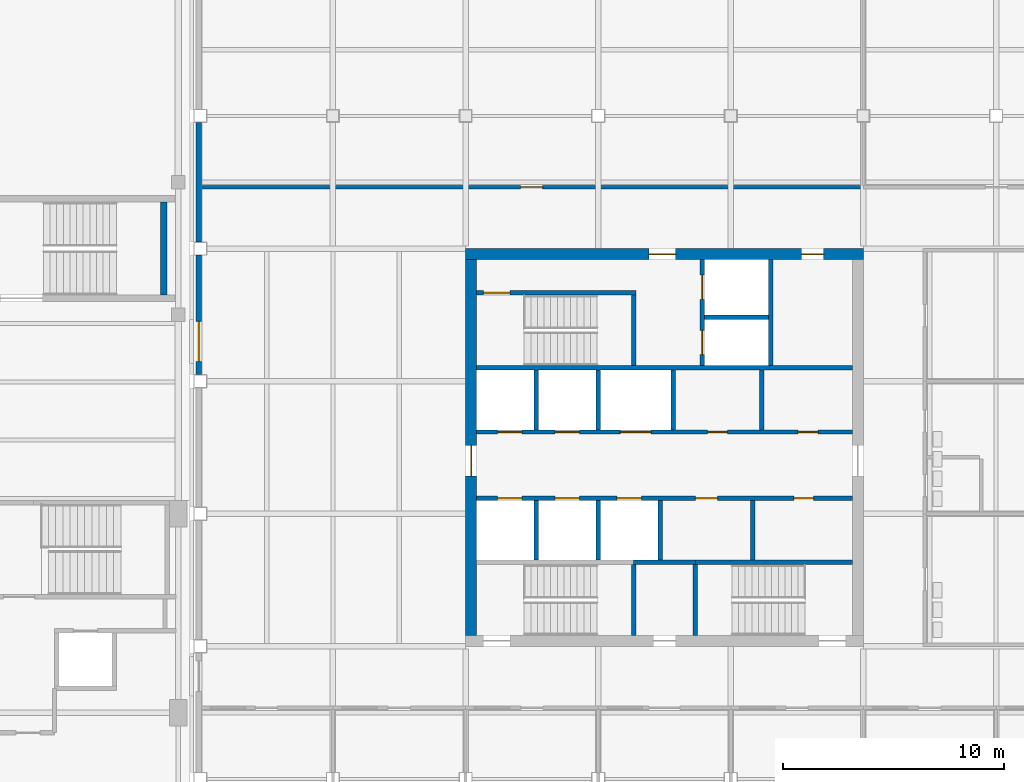
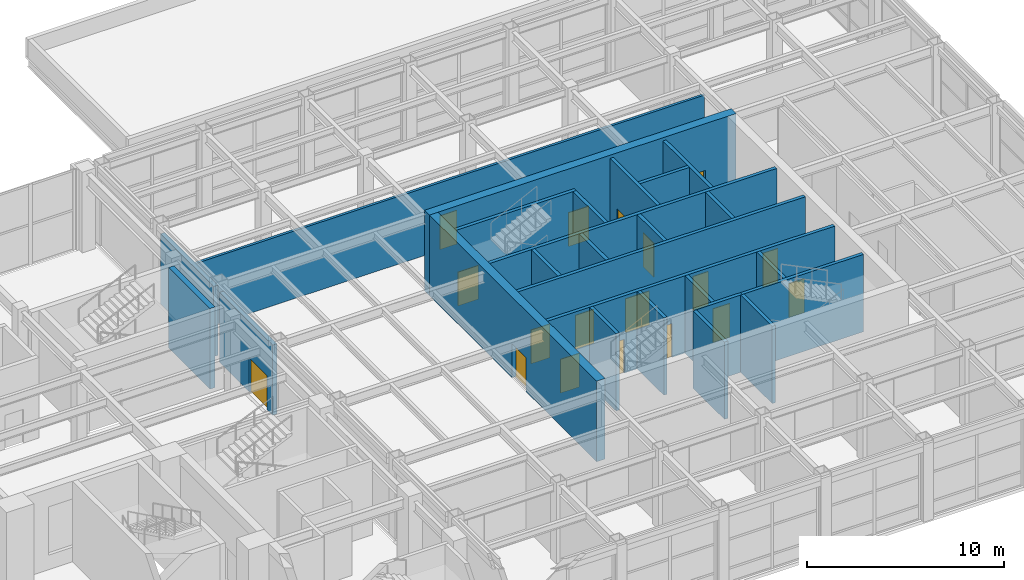
# One storey, part 43 of 67: 26 walls, 18 doors, 18 openings.
"""IFC4 building model written with IfcOpenShell, lengths in metres."""

from ifc_helpers import new_model, si_unit, direction, frame, frame_2d, origin, place, context, subcontext, project, spatial, rectangle, extrude, material, layer, layer_set, type_object, element, fill, save


model = new_model("IFC4")

# Units and contexts
model_context = context("Model", 3, precision=1e-05, world=origin(), true_north=direction((0.0, 1.0)))
body_context = subcontext(model_context, "Body", "Model", "MODEL_VIEW")
ifc_project = project(units=[si_unit("LENGTHUNIT", "METRE"), si_unit("AREAUNIT", "SQUARE_METRE"), si_unit("VOLUMEUNIT", "CUBIC_METRE"), si_unit("PLANEANGLEUNIT", "RADIAN"), si_unit("MASSUNIT", "GRAM", prefix="KILO")], contexts=[model_context])

# Site, building, storey
site_placement = place(None, origin())
site = spatial("IfcSite", under=ifc_project, at=site_placement, CompositionType="ELEMENT")
building_placement = place(site_placement, origin())
building = spatial("IfcBuilding", under=site, at=building_placement, Name="Aravalli Gate Trade Fair Centre", CompositionType="ELEMENT")
storey_placement = place(building_placement, frame((0.0, 0.0, 5.0)))
storey = spatial("IfcBuildingStorey", under=building, at=storey_placement, Name="L01", CompositionType="ELEMENT", Elevation=5.0)

# Walls
ifc_material_1 = material(Name="Concrete M40", Category="concrete")
ifc_layer_1 = layer(ifc_material_1, 0.300048828125)
ifc_layer_set_1 = layer_set([ifc_layer_1], Name="Concrete M40")
wall_type_1 = type_object("IfcWallType", Name="RC core wall 300", PredefinedType="SHEAR", material=ifc_layer_set_1)
wall_1_placement = place(storey_placement, frame((158.35009765625, 118.89990234375, 0.0), z_axis=(0.0, 0.0, 1.0), x_axis=(0.0, 1.0, 0.0)))
element("IfcWall", 1, at=wall_1_placement, inside=storey, type_object=wall_type_1, Name="Core wall ESE L01", PredefinedType="SHEAR", context=body_context, shape_type="SweptSolid", body=[
    extrude(rectangle(XDim=4.2001953125, YDim=0.300048828125, at=frame_2d((2.10009765625, 0.0))), origin(), (0.0, 0.0, 1.0), 5.0),
])
ifc_material_2 = material(Name="Concrete M30", Category="concrete")
ifc_layer_2 = layer(ifc_material_2, 0.199951171875)
ifc_layer_set_2 = layer_set([ifc_layer_2], Name="Concrete M30")
wall_type_2 = type_object("IfcWallType", Name="Wing core internal wall 200 (EI 120, core wall)", PredefinedType="SOLIDWALL", material=ifc_layer_set_2)
wall_2_placement = place(storey_placement, frame((172.5, 115.60009765625, 0.0), z_axis=(0.0, 0.0, 1.0), x_axis=(1.0, 0.0, 0.0)))
element("IfcWall", 2, at=wall_2_placement, inside=storey, type_object=wall_type_2, Name="Core wall N-REAR L01", PredefinedType="SOLIDWALL", context=body_context, shape_type="SweptSolid", body=[
    extrude(rectangle(XDim=17.0, YDim=0.199951171875, at=frame_2d((8.5, 0.0))), origin(), (0.0, 0.0, 1.0), 4.800048828125),
])
ifc_layer_3 = layer(ifc_material_2, 0.199951171875)
ifc_layer_set_3 = layer_set([ifc_layer_3], Name="Concrete M30")
wall_type_3 = type_object("IfcWallType", Name="Wing core internal wall 200 (EI 120, firefighting shaft)", PredefinedType="SOLIDWALL", material=ifc_layer_set_3)
wall_3_placement = place(storey_placement, frame((179.60009765625, 115.699951171875, 0.0), z_axis=(0.0, 0.0, 1.0), x_axis=(0.0, 1.0, 0.0)))
element("IfcWall", 3, at=wall_3_placement, inside=storey, type_object=wall_type_3, Name="Core wall FF-AB L01", PredefinedType="SOLIDWALL", context=body_context, shape_type="SweptSolid", body=[
    extrude(rectangle(XDim=3.199951171875, YDim=0.199951171875, at=frame_2d((1.60009765625, 0.0))), origin(), (0.0, 0.0, 1.0), 4.800048828125),
])

# Wall, opening, door
wall_4_placement = place(storey_placement, frame((172.5, 119.0, 0.0), z_axis=(0.0, 0.0, 1.0), x_axis=(1.0, 0.0, 0.0)))
wall_4 = element("IfcWall", 4, at=wall_4_placement, inside=storey, type_object=wall_type_3, Name="Core wall FF-N L01", PredefinedType="SOLIDWALL", context=body_context, shape_type="SweptSolid", body=[
    extrude(rectangle(XDim=7.199951171875, YDim=0.199951171875, at=frame_2d((3.60009765625, 0.0))), origin(), (0.0, 0.0, 1.0), 4.800048828125),
])
opening_1_placement = place(wall_4_placement, frame((0.300048828125, 0.0, 0.0)))
opening_1 = element("IfcOpeningElement", 5, at=opening_1_placement, cuts=wall_4, Name="Opening T-L01-131", PredefinedType="OPENING", context=body_context, shape_type="SweptSolid", body=[
    extrude(rectangle(XDim=1.199951171875, YDim=2.10009765625, at=frame_2d((0.60009765625, 1.050048828125))), frame((0.0, 0.10986328125, 0.0), z_axis=(0.0, -1.0, 0.0), x_axis=(1.0, 0.0, 0.0)), (0.0, 0.0, 1.0), 0.219970703125),
])
ifc_material_3 = material(Name="Steel, fire rated", Category="steel")
door_type_1 = type_object("IfcDoorType", Name="Wing fire door FD120 1200 x 2100", OperationType="SINGLE_SWING_LEFT", PredefinedType="DOOR", material=ifc_material_3)
door_1_placement = place(opening_1_placement, frame((1.199951171875, 0.0, 0.0), z_axis=(0.0, 0.0, 1.0), x_axis=(-1.0, 0.0, 0.0)))
door_1 = element("IfcDoor", 6, at=door_1_placement, inside=storey, type_object=door_type_1, Name="Core door T-L01-131", OperationType="SINGLE_SWING_RIGHT", OverallHeight=2.10009765625, OverallWidth=1.199951171875, PredefinedType="DOOR", context=body_context, shape_type="SweptSolid", body=[
    extrude(rectangle(XDim=1.199951171875, YDim=2.10009765625, at=frame_2d((0.60009765625, 1.050048828125))), frame((0.0, 0.02490234375, 0.0), z_axis=(0.0, -1.0, 0.0), x_axis=(1.0, 0.0, 0.0)), (0.0, 0.0, 1.0), 0.050048828125),
])
fill(opening_1, door_1)

# Wall, openings, doors
wall_5_placement = place(storey_placement, frame((182.699951171875, 115.699951171875, 0.0), z_axis=(0.0, 0.0, 1.0), x_axis=(0.0, 1.0, 0.0)))
wall_5 = element("IfcWall", 7, at=wall_5_placement, inside=storey, type_object=wall_type_3, Name="Core wall FF-BC L01", PredefinedType="SOLIDWALL", context=body_context, shape_type="SweptSolid", body=[
    extrude(rectangle(XDim=4.800048828125, YDim=0.199951171875, at=frame_2d((2.39990234375, 0.0))), origin(), (0.0, 0.0, 1.0), 4.800048828125),
])
opening_2_placement = place(wall_5_placement, frame((0.5, 0.0, 0.0)))
opening_2 = element("IfcOpeningElement", 8, at=opening_2_placement, cuts=wall_5, Name="Opening T-L01-132", PredefinedType="OPENING", context=body_context, shape_type="SweptSolid", body=[
    extrude(rectangle(XDim=1.10009765625, YDim=2.10009765625, at=frame_2d((0.550048828125, 1.050048828125))), frame((0.0, 0.10986328125, 0.0), z_axis=(0.0, -1.0, 0.0), x_axis=(1.0, 0.0, 0.0)), (0.0, 0.0, 1.0), 0.219970703125),
])
opening_3_placement = place(wall_5_placement, frame((3.0, 0.0, 0.0)))
opening_3 = element("IfcOpeningElement", 9, at=opening_3_placement, cuts=wall_5, Name="Opening T-L01-133", PredefinedType="OPENING", context=body_context, shape_type="SweptSolid", body=[
    extrude(rectangle(XDim=1.10009765625, YDim=2.10009765625, at=frame_2d((0.550048828125, 1.050048828125))), frame((0.0, 0.10986328125, 0.0), z_axis=(0.0, -1.0, 0.0), x_axis=(1.0, 0.0, 0.0)), (0.0, 0.0, 1.0), 0.219970703125),
])
ifc_material_4 = material(Name="Elevator door panels")
door_type_2 = type_object("IfcDoorType", Name="Wing lift landing door 1100 x 2100", OperationType="SLIDING_TO_LEFT", PredefinedType="DOOR", material=ifc_material_4)
door_2_placement = place(opening_2_placement, origin())
door_2 = element("IfcDoor", 10, at=door_2_placement, inside=storey, type_object=door_type_2, Name="Landing door T-L01-132", OperationType="SLIDING_TO_LEFT", OverallHeight=2.10009765625, OverallWidth=1.10009765625, PredefinedType="DOOR", context=body_context, shape_type="SweptSolid", body=[
    extrude(rectangle(XDim=1.10009765625, YDim=2.10009765625, at=frame_2d((0.550048828125, 1.050048828125))), frame((0.0, 0.02490234375, 0.0), z_axis=(0.0, -1.0, 0.0), x_axis=(1.0, 0.0, 0.0)), (0.0, 0.0, 1.0), 0.050048828125),
])
fill(opening_2, door_2)
door_3_placement = place(opening_3_placement, origin())
door_3 = element("IfcDoor", 11, at=door_3_placement, inside=storey, type_object=door_type_2, Name="Landing door T-L01-133", OperationType="SLIDING_TO_LEFT", OverallHeight=2.10009765625, OverallWidth=1.10009765625, PredefinedType="DOOR", context=body_context, shape_type="SweptSolid", body=[
    extrude(rectangle(XDim=1.10009765625, YDim=2.10009765625, at=frame_2d((0.550048828125, 1.050048828125))), frame((0.0, 0.02490234375, 0.0), z_axis=(0.0, -1.0, 0.0), x_axis=(1.0, 0.0, 0.0)), (0.0, 0.0, 1.0), 0.050048828125),
])
fill(opening_3, door_3)

# Walls
wall_6_placement = place(storey_placement, frame((182.800048828125, 117.89990234375, 0.0), z_axis=(0.0, 0.0, 1.0), x_axis=(1.0, 0.0, 0.0)))
element("IfcWall", 12, at=wall_6_placement, inside=storey, type_object=wall_type_3, Name="Core wall FF-MID L01", PredefinedType="SOLIDWALL", context=body_context, shape_type="SweptSolid", body=[
    extrude(rectangle(XDim=2.89990234375, YDim=0.199951171875, at=frame_2d((1.449951171875, 0.0))), origin(), (0.0, 0.0, 1.0), 4.800048828125),
])
wall_7_placement = place(storey_placement, frame((185.800048828125, 115.699951171875, 0.0), z_axis=(0.0, 0.0, 1.0), x_axis=(0.0, 1.0, 0.0)))
element("IfcWall", 13, at=wall_7_placement, inside=storey, type_object=wall_type_3, Name="Core wall FF-CD L01", PredefinedType="SOLIDWALL", context=body_context, shape_type="SweptSolid", body=[
    extrude(rectangle(XDim=4.800048828125, YDim=0.199951171875, at=frame_2d((2.39990234375, 0.0))), origin(), (0.0, 0.0, 1.0), 4.800048828125),
])
ifc_layer_4 = layer(ifc_material_2, 0.199951171875)
ifc_layer_set_4 = layer_set([ifc_layer_4], Name="Concrete M30")
wall_type_4 = type_object("IfcWallType", Name="Wing core internal wall 200 (EI 120, lift shaft)", PredefinedType="SOLIDWALL", material=ifc_layer_set_4)
wall_8_placement = place(storey_placement, frame((179.60009765625, 106.800048828125, 0.0), z_axis=(0.0, 0.0, 1.0), x_axis=(1.0, 0.0, 0.0)))
element("IfcWall", 14, at=wall_8_placement, inside=storey, type_object=wall_type_4, Name="Core wall S-REAR-M L01", PredefinedType="SOLIDWALL", context=body_context, shape_type="SweptSolid", body=[
    extrude(rectangle(XDim=2.7998046875, YDim=0.199951171875, at=frame_2d((1.39990234375, 0.0))), origin(), (0.0, 0.0, 1.0), 4.800048828125),
])
wall_9_placement = place(storey_placement, frame((182.39990234375, 106.800048828125, 0.0), z_axis=(0.0, 0.0, 1.0), x_axis=(1.0, 0.0, 0.0)))
element("IfcWall", 15, at=wall_9_placement, inside=storey, type_object=wall_type_4, Name="Core wall S-REAR-E L01", PredefinedType="SOLIDWALL", context=body_context, shape_type="SweptSolid", body=[
    extrude(rectangle(XDim=7.10009765625, YDim=0.199951171875, at=frame_2d((3.550048828125, 0.0))), origin(), (0.0, 0.0, 1.0), 4.800048828125),
])
for number, where, z_axis, x_axis, name in (
    (16, (175.199951171875, 106.89990234375, 0.0), (0.0, 0.0, 1.0), (0.0, 1.0, 0.0), "Core wall SB-3.2 L01"),
    (17, (178.0, 106.89990234375, 0.0), (0.0, 0.0, 1.0), (0.0, 1.0, 0.0), "Core wall SB-6.0 L01"),
    (18, (180.800048828125, 106.89990234375, 0.0), (0.0, 0.0, 1.0), (0.0, 1.0, 0.0), "Core wall SB-8.8 L01"),
):
    element("IfcWall", number, at=place(storey_placement, frame(where, z_axis=z_axis, x_axis=x_axis)), inside=storey, type_object=wall_type_4, Name=name, PredefinedType="SOLIDWALL", context=body_context, shape_type="SweptSolid", body=[
        extrude(rectangle(XDim=2.7001953125, YDim=0.199951171875, at=frame_2d((1.35009765625, 0.0))), origin(), (0.0, 0.0, 1.0), 4.800048828125),
    ])

# Wall, openings, doors
wall_10_placement = place(storey_placement, frame((172.5, 109.699951171875, 0.0), z_axis=(0.0, 0.0, 1.0), x_axis=(1.0, 0.0, 0.0)))
wall_10 = element("IfcWall", 19, at=wall_10_placement, inside=storey, type_object=wall_type_4, Name="Core wall S-FRONT L01", PredefinedType="SOLIDWALL", context=body_context, shape_type="SweptSolid", body=[
    extrude(rectangle(XDim=17.0, YDim=0.199951171875, at=frame_2d((8.5, 0.0))), origin(), (0.0, 0.0, 1.0), 4.800048828125),
])
opening_4_placement = place(wall_10_placement, frame((0.949951171875, 0.0, 0.0)))
opening_4 = element("IfcOpeningElement", 20, at=opening_4_placement, cuts=wall_10, Name="Opening T-L01-111", PredefinedType="OPENING", context=body_context, shape_type="SweptSolid", body=[
    extrude(rectangle(XDim=1.10009765625, YDim=2.10009765625, at=frame_2d((0.550048828125, 1.050048828125))), frame((0.0, 0.10986328125, 0.0), z_axis=(0.0, -1.0, 0.0), x_axis=(1.0, 0.0, 0.0)), (0.0, 0.0, 1.0), 0.219970703125),
])
opening_5_placement = place(wall_10_placement, frame((3.550048828125, 0.0, 0.0)))
opening_5 = element("IfcOpeningElement", 21, at=opening_5_placement, cuts=wall_10, Name="Opening T-L01-112", PredefinedType="OPENING", context=body_context, shape_type="SweptSolid", body=[
    extrude(rectangle(XDim=1.10009765625, YDim=2.10009765625, at=frame_2d((0.550048828125, 1.050048828125))), frame((0.0, 0.10986328125, 0.0), z_axis=(0.0, -1.0, 0.0), x_axis=(1.0, 0.0, 0.0)), (0.0, 0.0, 1.0), 0.219970703125),
])
opening_6_placement = place(wall_10_placement, frame((6.35009765625, 0.0, 0.0)))
opening_6 = element("IfcOpeningElement", 22, at=opening_6_placement, cuts=wall_10, Name="Opening T-L01-113", PredefinedType="OPENING", context=body_context, shape_type="SweptSolid", body=[
    extrude(rectangle(XDim=1.10009765625, YDim=2.10009765625, at=frame_2d((0.550048828125, 1.050048828125))), frame((0.0, 0.10986328125, 0.0), z_axis=(0.0, -1.0, 0.0), x_axis=(1.0, 0.0, 0.0)), (0.0, 0.0, 1.0), 0.219970703125),
])
opening_7_placement = place(wall_10_placement, frame((9.89990234375, 0.0, 0.0)))
opening_7 = element("IfcOpeningElement", 23, at=opening_7_placement, cuts=wall_10, Name="Opening T-L01-114", PredefinedType="OPENING", context=body_context, shape_type="SweptSolid", body=[
    extrude(rectangle(XDim=1.0, YDim=2.10009765625, at=frame_2d((0.5, 1.050048828125))), frame((0.0, 0.10986328125, 0.0), z_axis=(0.0, -1.0, 0.0), x_axis=(1.0, 0.0, 0.0)), (0.0, 0.0, 1.0), 0.219970703125),
])
opening_8_placement = place(wall_10_placement, frame((14.35009765625, 0.0, 0.0)))
opening_8 = element("IfcOpeningElement", 24, at=opening_8_placement, cuts=wall_10, Name="Opening T-L01-115", PredefinedType="OPENING", context=body_context, shape_type="SweptSolid", body=[
    extrude(rectangle(XDim=0.89990234375, YDim=2.10009765625, at=frame_2d((0.449951171875, 1.050048828125))), frame((0.0, 0.10986328125, 0.0), z_axis=(0.0, -1.0, 0.0), x_axis=(1.0, 0.0, 0.0)), (0.0, 0.0, 1.0), 0.219970703125),
])
door_type_3 = type_object("IfcDoorType", Name="Wing fire door FD120 1000 x 2100", OperationType="SINGLE_SWING_LEFT", PredefinedType="DOOR", material=ifc_material_3)
door_4_placement = place(opening_7_placement, frame((1.0, 0.0, 0.0), z_axis=(0.0, 0.0, 1.0), x_axis=(-1.0, 0.0, 0.0)))
door_4 = element("IfcDoor", 25, at=door_4_placement, inside=storey, type_object=door_type_3, Name="Core door T-L01-114", OperationType="SINGLE_SWING_LEFT", OverallHeight=2.10009765625, OverallWidth=1.0, PredefinedType="DOOR", context=body_context, shape_type="SweptSolid", body=[
    extrude(rectangle(XDim=1.0, YDim=2.10009765625, at=frame_2d((0.5, 1.050048828125))), frame((0.0, 0.02490234375, 0.0), z_axis=(0.0, -1.0, 0.0), x_axis=(1.0, 0.0, 0.0)), (0.0, 0.0, 1.0), 0.050048828125),
])
fill(opening_7, door_4)
door_type_4 = type_object("IfcDoorType", Name="Wing fire door FD120 900 x 2100", OperationType="SINGLE_SWING_LEFT", PredefinedType="DOOR", material=ifc_material_3)
door_5_placement = place(opening_8_placement, frame((0.89990234375, 0.0, 0.0), z_axis=(0.0, 0.0, 1.0), x_axis=(-1.0, 0.0, 0.0)))
door_5 = element("IfcDoor", 26, at=door_5_placement, inside=storey, type_object=door_type_4, Name="Core door T-L01-115", OperationType="SINGLE_SWING_RIGHT", OverallHeight=2.10009765625, OverallWidth=0.89990234375, PredefinedType="DOOR", context=body_context, shape_type="SweptSolid", body=[
    extrude(rectangle(XDim=0.89990234375, YDim=2.10009765625, at=frame_2d((0.449951171875, 1.050048828125))), frame((0.0, 0.02490234375, 0.0), z_axis=(0.0, -1.0, 0.0), x_axis=(1.0, 0.0, 0.0)), (0.0, 0.0, 1.0), 0.050048828125),
])
fill(opening_8, door_5)
door_6_placement = place(opening_4_placement, origin())
door_6 = element("IfcDoor", 27, at=door_6_placement, inside=storey, type_object=door_type_2, Name="Landing door T-L01-111", OperationType="SLIDING_TO_LEFT", OverallHeight=2.10009765625, OverallWidth=1.10009765625, PredefinedType="DOOR", context=body_context, shape_type="SweptSolid", body=[
    extrude(rectangle(XDim=1.10009765625, YDim=2.10009765625, at=frame_2d((0.550048828125, 1.050048828125))), frame((0.0, 0.02490234375, 0.0), z_axis=(0.0, -1.0, 0.0), x_axis=(1.0, 0.0, 0.0)), (0.0, 0.0, 1.0), 0.050048828125),
])
fill(opening_4, door_6)
door_7_placement = place(opening_5_placement, origin())
door_7 = element("IfcDoor", 28, at=door_7_placement, inside=storey, type_object=door_type_2, Name="Landing door T-L01-112", OperationType="SLIDING_TO_LEFT", OverallHeight=2.10009765625, OverallWidth=1.10009765625, PredefinedType="DOOR", context=body_context, shape_type="SweptSolid", body=[
    extrude(rectangle(XDim=1.10009765625, YDim=2.10009765625, at=frame_2d((0.550048828125, 1.050048828125))), frame((0.0, 0.02490234375, 0.0), z_axis=(0.0, -1.0, 0.0), x_axis=(1.0, 0.0, 0.0)), (0.0, 0.0, 1.0), 0.050048828125),
])
fill(opening_5, door_7)
door_8_placement = place(opening_6_placement, origin())
door_8 = element("IfcDoor", 29, at=door_8_placement, inside=storey, type_object=door_type_2, Name="Landing door T-L01-113", OperationType="SLIDING_TO_LEFT", OverallHeight=2.10009765625, OverallWidth=1.10009765625, PredefinedType="DOOR", context=body_context, shape_type="SweptSolid", body=[
    extrude(rectangle(XDim=1.10009765625, YDim=2.10009765625, at=frame_2d((0.550048828125, 1.050048828125))), frame((0.0, 0.02490234375, 0.0), z_axis=(0.0, -1.0, 0.0), x_axis=(1.0, 0.0, 0.0)), (0.0, 0.0, 1.0), 0.050048828125),
])
fill(opening_6, door_8)

# Walls
for number, where, z_axis, x_axis, name in (
    (30, (175.199951171875, 112.800048828125, 0.0), (0.0, 0.0, 1.0), (0.0, 1.0, 0.0), "Core wall NB-3.2 L01"),
    (31, (178.0, 112.800048828125, 0.0), (0.0, 0.0, 1.0), (0.0, 1.0, 0.0), "Core wall NB-6.0 L01"),
    (32, (181.39990234375, 112.800048828125, 0.0), (0.0, 0.0, 1.0), (0.0, 1.0, 0.0), "Core wall NB-9 L01"),
):
    element("IfcWall", number, at=place(storey_placement, frame(where, z_axis=z_axis, x_axis=x_axis)), inside=storey, type_object=wall_type_4, Name=name, PredefinedType="SOLIDWALL", context=body_context, shape_type="SweptSolid", body=[
        extrude(rectangle(XDim=2.699951171875, YDim=0.199951171875, at=frame_2d((1.35009765625, 0.0))), origin(), (0.0, 0.0, 1.0), 4.800048828125),
    ])

# Wall, openings, doors
wall_11_placement = place(storey_placement, frame((172.5, 112.699951171875, 0.0), z_axis=(0.0, 0.0, 1.0), x_axis=(1.0, 0.0, 0.0)))
wall_11 = element("IfcWall", 33, at=wall_11_placement, inside=storey, type_object=wall_type_4, Name="Core wall N-FRONT L01", PredefinedType="SOLIDWALL", context=body_context, shape_type="SweptSolid", body=[
    extrude(rectangle(XDim=17.0, YDim=0.199951171875, at=frame_2d((8.5, 0.0))), origin(), (0.0, 0.0, 1.0), 4.800048828125),
])
opening_9_placement = place(wall_11_placement, frame((0.949951171875, 0.0, 0.0)))
opening_9 = element("IfcOpeningElement", 34, at=opening_9_placement, cuts=wall_11, Name="Opening T-L01-121", PredefinedType="OPENING", context=body_context, shape_type="SweptSolid", body=[
    extrude(rectangle(XDim=1.10009765625, YDim=2.10009765625, at=frame_2d((0.550048828125, 1.050048828125))), frame((0.0, 0.10986328125, 0.0), z_axis=(0.0, -1.0, 0.0), x_axis=(1.0, 0.0, 0.0)), (0.0, 0.0, 1.0), 0.219970703125),
])
opening_10_placement = place(wall_11_placement, frame((3.550048828125, 0.0, 0.0)))
opening_10 = element("IfcOpeningElement", 35, at=opening_10_placement, cuts=wall_11, Name="Opening T-L01-122", PredefinedType="OPENING", context=body_context, shape_type="SweptSolid", body=[
    extrude(rectangle(XDim=1.10009765625, YDim=2.10009765625, at=frame_2d((0.550048828125, 1.050048828125))), frame((0.0, 0.10986328125, 0.0), z_axis=(0.0, -1.0, 0.0), x_axis=(1.0, 0.0, 0.0)), (0.0, 0.0, 1.0), 0.219970703125),
])
opening_11_placement = place(wall_11_placement, frame((6.5, 0.0, 0.0)))
opening_11 = element("IfcOpeningElement", 36, at=opening_11_placement, cuts=wall_11, Name="Opening T-L01-123", PredefinedType="OPENING", context=body_context, shape_type="SweptSolid", body=[
    extrude(rectangle(XDim=1.39990234375, YDim=2.10009765625, at=frame_2d((0.699951171875, 1.050048828125))), frame((0.0, 0.10986328125, 0.0), z_axis=(0.0, -1.0, 0.0), x_axis=(1.0, 0.0, 0.0)), (0.0, 0.0, 1.0), 0.219970703125),
])
opening_12_placement = place(wall_11_placement, frame((10.449951171875, 0.0, 0.0)))
opening_12 = element("IfcOpeningElement", 37, at=opening_12_placement, cuts=wall_11, Name="Opening T-L01-124", PredefinedType="OPENING", context=body_context, shape_type="SweptSolid", body=[
    extrude(rectangle(XDim=0.89990234375, YDim=2.10009765625, at=frame_2d((0.449951171875, 1.050048828125))), frame((0.0, 0.10986328125, 0.0), z_axis=(0.0, -1.0, 0.0), x_axis=(1.0, 0.0, 0.0)), (0.0, 0.0, 1.0), 0.219970703125),
])
opening_13_placement = place(wall_11_placement, frame((14.550048828125, 0.0, 0.0)))
opening_13 = element("IfcOpeningElement", 38, at=opening_13_placement, cuts=wall_11, Name="Opening T-L01-125", PredefinedType="OPENING", context=body_context, shape_type="SweptSolid", body=[
    extrude(rectangle(XDim=0.89990234375, YDim=2.10009765625, at=frame_2d((0.449951171875, 1.050048828125))), frame((0.0, 0.10986328125, 0.0), z_axis=(0.0, -1.0, 0.0), x_axis=(1.0, 0.0, 0.0)), (0.0, 0.0, 1.0), 0.219970703125),
])
door_9_placement = place(opening_12_placement, origin())
door_9 = element("IfcDoor", 39, at=door_9_placement, inside=storey, type_object=door_type_4, Name="Core door T-L01-124", OperationType="SINGLE_SWING_RIGHT", OverallHeight=2.10009765625, OverallWidth=0.89990234375, PredefinedType="DOOR", context=body_context, shape_type="SweptSolid", body=[
    extrude(rectangle(XDim=0.89990234375, YDim=2.10009765625, at=frame_2d((0.449951171875, 1.050048828125))), frame((0.0, 0.02490234375, 0.0), z_axis=(0.0, -1.0, 0.0), x_axis=(1.0, 0.0, 0.0)), (0.0, 0.0, 1.0), 0.050048828125),
])
fill(opening_12, door_9)
door_10_placement = place(opening_13_placement, origin())
door_10 = element("IfcDoor", 40, at=door_10_placement, inside=storey, type_object=door_type_4, Name="Core door T-L01-125", OperationType="SINGLE_SWING_LEFT", OverallHeight=2.10009765625, OverallWidth=0.89990234375, PredefinedType="DOOR", context=body_context, shape_type="SweptSolid", body=[
    extrude(rectangle(XDim=0.89990234375, YDim=2.10009765625, at=frame_2d((0.449951171875, 1.050048828125))), frame((0.0, 0.02490234375, 0.0), z_axis=(0.0, -1.0, 0.0), x_axis=(1.0, 0.0, 0.0)), (0.0, 0.0, 1.0), 0.050048828125),
])
fill(opening_13, door_10)
door_11_placement = place(opening_9_placement, origin())
door_11 = element("IfcDoor", 41, at=door_11_placement, inside=storey, type_object=door_type_2, Name="Landing door T-L01-121", OperationType="SLIDING_TO_LEFT", OverallHeight=2.10009765625, OverallWidth=1.10009765625, PredefinedType="DOOR", context=body_context, shape_type="SweptSolid", body=[
    extrude(rectangle(XDim=1.10009765625, YDim=2.10009765625, at=frame_2d((0.550048828125, 1.050048828125))), frame((0.0, 0.02490234375, 0.0), z_axis=(0.0, -1.0, 0.0), x_axis=(1.0, 0.0, 0.0)), (0.0, 0.0, 1.0), 0.050048828125),
])
fill(opening_9, door_11)
door_12_placement = place(opening_10_placement, origin())
door_12 = element("IfcDoor", 42, at=door_12_placement, inside=storey, type_object=door_type_2, Name="Landing door T-L01-122", OperationType="SLIDING_TO_LEFT", OverallHeight=2.10009765625, OverallWidth=1.10009765625, PredefinedType="DOOR", context=body_context, shape_type="SweptSolid", body=[
    extrude(rectangle(XDim=1.10009765625, YDim=2.10009765625, at=frame_2d((0.550048828125, 1.050048828125))), frame((0.0, 0.02490234375, 0.0), z_axis=(0.0, -1.0, 0.0), x_axis=(1.0, 0.0, 0.0)), (0.0, 0.0, 1.0), 0.050048828125),
])
fill(opening_10, door_12)
door_type_5 = type_object("IfcDoorType", Name="Wing lift landing door 1400 x 2100", OperationType="SLIDING_TO_LEFT", PredefinedType="DOOR", material=ifc_material_4)
door_13_placement = place(opening_11_placement, origin())
door_13 = element("IfcDoor", 43, at=door_13_placement, inside=storey, type_object=door_type_5, Name="Landing door T-L01-123", OperationType="SLIDING_TO_LEFT", OverallHeight=2.10009765625, OverallWidth=1.39990234375, PredefinedType="DOOR", context=body_context, shape_type="SweptSolid", body=[
    extrude(rectangle(XDim=1.39990234375, YDim=2.10009765625, at=frame_2d((0.699951171875, 1.050048828125))), frame((0.0, 0.02490234375, 0.0), z_axis=(0.0, -1.0, 0.0), x_axis=(1.0, 0.0, 0.0)), (0.0, 0.0, 1.0), 0.050048828125),
])
fill(opening_11, door_13)

# Walls
ifc_material_5 = material(Name="Concrete block masonry", Category="masonry")
ifc_layer_5 = layer(ifc_material_5, 0.199951171875)
ifc_layer_set_5 = layer_set([ifc_layer_5], Name="Concrete block masonry")
wall_type_5 = type_object("IfcWallType", Name="Wing core internal wall 200 (EI 120, riser shaft)", PredefinedType="SOLIDWALL", material=ifc_layer_set_5)
wall_12_placement = place(storey_placement, frame((185.0, 106.89990234375, 0.0), z_axis=(0.0, 0.0, 1.0), x_axis=(0.0, 1.0, 0.0)))
element("IfcWall", 44, at=wall_12_placement, inside=storey, type_object=wall_type_5, Name="Core wall SB-13 L01", PredefinedType="SOLIDWALL", context=body_context, shape_type="SweptSolid", body=[
    extrude(rectangle(XDim=2.7001953125, YDim=0.199951171875, at=frame_2d((1.35009765625, 0.0))), origin(), (0.0, 0.0, 1.0), 4.800048828125),
])
wall_13_placement = place(storey_placement, frame((185.39990234375, 112.800048828125, 0.0), z_axis=(0.0, 0.0, 1.0), x_axis=(0.0, 1.0, 0.0)))
element("IfcWall", 45, at=wall_13_placement, inside=storey, type_object=wall_type_5, Name="Core wall NB-13 L01", PredefinedType="SOLIDWALL", context=body_context, shape_type="SweptSolid", body=[
    extrude(rectangle(XDim=2.699951171875, YDim=0.199951171875, at=frame_2d((1.35009765625, 0.0))), origin(), (0.0, 0.0, 1.0), 4.800048828125),
])
ifc_layer_6 = layer(ifc_material_2, 0.199951171875)
ifc_layer_set_6 = layer_set([ifc_layer_6], Name="Concrete M30")
wall_type_6 = type_object("IfcWallType", Name="Wing core internal wall 200 (EI 120, stair enclosure)", PredefinedType="SOLIDWALL", material=ifc_layer_set_6)
for number, where, z_axis, x_axis, name in (
    (46, (179.60009765625, 103.5, 0.0), (0.0, 0.0, 1.0), (0.0, 1.0, 0.0), "Core wall S-AB L01"),
    (47, (182.39990234375, 103.5, 0.0), (0.0, 0.0, 1.0), (0.0, 1.0, 0.0), "Core wall S-BC L01"),
):
    element("IfcWall", number, at=place(storey_placement, frame(where, z_axis=z_axis, x_axis=x_axis)), inside=storey, type_object=wall_type_6, Name=name, PredefinedType="SOLIDWALL", context=body_context, shape_type="SweptSolid", body=[
        extrude(rectangle(XDim=3.199951171875, YDim=0.199951171875, at=frame_2d((1.60009765625, 0.0))), origin(), (0.0, 0.0, 1.0), 4.800048828125),
    ])

# Wall, openings, doors
ifc_material_6 = material(Name="Concrete M50", Category="concrete")
ifc_layer_7 = layer(ifc_material_6, 0.5)
ifc_layer_set_7 = layer_set([ifc_layer_7], Name="Concrete M50")
wall_type_7 = type_object("IfcWallType", Name="Wing core shear wall 500", PredefinedType="SHEAR", material=ifc_layer_set_7)
wall_14_placement = place(storey_placement, frame((172.0, 120.75, 0.0), z_axis=(0.0, 0.0, 1.0), x_axis=(1.0, 0.0, 0.0)))
wall_14 = element("IfcWall", 48, at=wall_14_placement, inside=storey, type_object=wall_type_7, Name="Core wall N L01", PredefinedType="SHEAR", context=body_context, shape_type="SweptSolid", body=[
    extrude(rectangle(XDim=18.0, YDim=0.5, at=frame_2d((9.0, 0.0))), origin(), (0.0, 0.0, 1.0), 5.0),
])
opening_14_placement = place(wall_14_placement, frame((8.300048828125, 0.0, 0.0)))
opening_14 = element("IfcOpeningElement", 49, at=opening_14_placement, cuts=wall_14, Name="Opening T-L01-104", PredefinedType="OPENING", context=body_context, shape_type="SweptSolid", body=[
    extrude(rectangle(XDim=1.199951171875, YDim=2.10009765625, at=frame_2d((0.60009765625, 1.050048828125))), frame((0.0, 0.260009765625, 0.0), z_axis=(0.0, -1.0, 0.0), x_axis=(1.0, 0.0, 0.0)), (0.0, 0.0, 1.0), 0.52001953125),
])
opening_15_placement = place(wall_14_placement, frame((15.199951171875, 0.0, 0.0)))
opening_15 = element("IfcOpeningElement", 50, at=opening_15_placement, cuts=wall_14, Name="Opening T-L01-105", PredefinedType="OPENING", context=body_context, shape_type="SweptSolid", body=[
    extrude(rectangle(XDim=1.0, YDim=2.10009765625, at=frame_2d((0.5, 1.050048828125))), frame((0.0, 0.260009765625, 0.0), z_axis=(0.0, -1.0, 0.0), x_axis=(1.0, 0.0, 0.0)), (0.0, 0.0, 1.0), 0.52001953125),
])
door_14_placement = place(opening_15_placement, frame((1.0, 0.0, 0.0), z_axis=(0.0, 0.0, 1.0), x_axis=(-1.0, 0.0, 0.0)))
door_14 = element("IfcDoor", 51, at=door_14_placement, inside=storey, type_object=door_type_3, Name="Core door T-L01-105", OperationType="SINGLE_SWING_RIGHT", OverallHeight=2.10009765625, OverallWidth=1.0, PredefinedType="DOOR", context=body_context, shape_type="SweptSolid", body=[
    extrude(rectangle(XDim=1.0, YDim=2.10009765625, at=frame_2d((0.5, 1.050048828125))), frame((0.0, 0.02490234375, 0.0), z_axis=(0.0, -1.0, 0.0), x_axis=(1.0, 0.0, 0.0)), (0.0, 0.0, 1.0), 0.050048828125),
])
fill(opening_15, door_14)
door_15_placement = place(opening_14_placement, frame((1.199951171875, 0.0, 0.0), z_axis=(0.0, 0.0, 1.0), x_axis=(-1.0, 0.0, 0.0)))
door_15 = element("IfcDoor", 52, at=door_15_placement, inside=storey, type_object=door_type_1, Name="Core door T-L01-104", OperationType="SINGLE_SWING_LEFT", OverallHeight=2.10009765625, OverallWidth=1.199951171875, PredefinedType="DOOR", context=body_context, shape_type="SweptSolid", body=[
    extrude(rectangle(XDim=1.199951171875, YDim=2.10009765625, at=frame_2d((0.60009765625, 1.050048828125))), frame((0.0, 0.02490234375, 0.0), z_axis=(0.0, -1.0, 0.0), x_axis=(1.0, 0.0, 0.0)), (0.0, 0.0, 1.0), 0.050048828125),
])
fill(opening_14, door_15)

# Wall, opening, door
wall_15_placement = place(storey_placement, frame((172.25, 103.5, 0.0), z_axis=(0.0, 0.0, 1.0), x_axis=(0.0, 1.0, 0.0)))
wall_15 = element("IfcWall", 53, at=wall_15_placement, inside=storey, type_object=wall_type_7, Name="Core wall W L01", PredefinedType="SHEAR", context=body_context, shape_type="SweptSolid", body=[
    extrude(rectangle(XDim=17.0, YDim=0.5, at=frame_2d((8.5, 0.0))), origin(), (0.0, 0.0, 1.0), 5.0),
])
opening_16_placement = place(wall_15_placement, frame((7.199951171875, 0.0, 0.0)))
opening_16 = element("IfcOpeningElement", 54, at=opening_16_placement, cuts=wall_15, Name="Opening T-L01-106", PredefinedType="OPENING", context=body_context, shape_type="SweptSolid", body=[
    extrude(rectangle(XDim=1.39990234375, YDim=2.10009765625, at=frame_2d((0.699951171875, 1.050048828125))), frame((0.0, 0.260009765625, 0.0), z_axis=(0.0, -1.0, 0.0), x_axis=(1.0, 0.0, 0.0)), (0.0, 0.0, 1.0), 0.52001953125),
])
door_type_6 = type_object("IfcDoorType", Name="Wing fire door FD120 1400 x 2100", OperationType="DOUBLE_DOOR_SINGLE_SWING", PredefinedType="DOOR", material=ifc_material_3)
door_16_placement = place(opening_16_placement, frame((1.39990234375, 0.0, 0.0), z_axis=(0.0, 0.0, 1.0), x_axis=(-1.0, 0.0, 0.0)))
door_16 = element("IfcDoor", 55, at=door_16_placement, inside=storey, type_object=door_type_6, Name="Core door T-L01-106", OperationType="DOUBLE_DOOR_SINGLE_SWING", OverallHeight=2.10009765625, OverallWidth=1.39990234375, PredefinedType="DOOR", context=body_context, shape_type="SweptSolid", body=[
    extrude(rectangle(XDim=1.39990234375, YDim=2.10009765625, at=frame_2d((0.699951171875, 1.050048828125))), frame((0.0, 0.02490234375, 0.0), z_axis=(0.0, -1.0, 0.0), x_axis=(1.0, 0.0, 0.0)), (0.0, 0.0, 1.0), 0.050048828125),
])
fill(opening_16, door_16)

ifc_material_7 = material(Name="Blockwork with fire-rated lining", Category="masonry")
ifc_layer_8 = layer(ifc_material_7, 0.14990234375)
ifc_layer_set_8 = layer_set([ifc_layer_8], Name="Blockwork with fire-rated lining")
wall_type_8 = type_object("IfcWallType", Name="Wing partition 150 (EI 60, corridor wall)", PredefinedType="PARTITIONING", material=ifc_layer_set_8)
wall_16_placement = place(storey_placement, frame((160.050048828125, 123.77490234375, 0.0), z_axis=(0.0, 0.0, 1.0), x_axis=(1.0, 0.0, 0.0)))
wall_16 = element("IfcWall", 56, at=wall_16_placement, inside=storey, type_object=wall_type_8, Name="Partition NW1 L01", PredefinedType="PARTITIONING", context=body_context, shape_type="SweptSolid", body=[
    extrude(rectangle(XDim=29.949951171875, YDim=0.14990234375, at=frame_2d((14.97509765625, 0.0))), origin(), (0.0, 0.0, 1.0), 4.199951171875),
])
opening_17_placement = place(wall_16_placement, frame((14.4375, 0.0, 0.0)))
opening_17 = element("IfcOpeningElement", 57, at=opening_17_placement, cuts=wall_16, Name="Opening T-L01-148", PredefinedType="OPENING", context=body_context, shape_type="SweptSolid", body=[
    extrude(rectangle(XDim=1.0, YDim=2.10009765625, at=frame_2d((0.5, 1.050048828125))), frame((0.0, 0.0849609375, 0.0), z_axis=(0.0, -1.0, 0.0), x_axis=(1.0, 0.0, 0.0)), (0.0, 0.0, 1.0), 0.169921875),
])
door_type_7 = type_object("IfcDoorType", Name="Wing fire door FD60 1000 x 2100", OperationType="SINGLE_SWING_LEFT", PredefinedType="DOOR", material=ifc_material_3)
door_17_placement = place(opening_17_placement, origin())
door_17 = element("IfcDoor", 58, at=door_17_placement, inside=storey, type_object=door_type_7, Name="Door T-L01-148", OperationType="SINGLE_SWING_RIGHT", OverallHeight=2.10009765625, OverallWidth=1.0, PredefinedType="DOOR", context=body_context, shape_type="SweptSolid", body=[
    extrude(rectangle(XDim=1.0, YDim=2.10009765625, at=frame_2d((0.5, 1.050048828125))), frame((0.0, 0.02490234375, 0.0), z_axis=(0.0, -1.0, 0.0), x_axis=(1.0, 0.0, 0.0)), (0.0, 0.0, 1.0), 0.050048828125),
])
fill(opening_17, door_17)

ifc_layer_9 = layer(ifc_material_5, 0.2099609375, Name="Block masonry")
ifc_material_8 = material(Name="Terracotta cladding", Category="masonry")
ifc_layer_10 = layer(ifc_material_8, 0.0400390625, Name="Terracotta cladding")
ifc_layer_set_9 = layer_set([ifc_layer_9, ifc_layer_10], Name="Wing west closing wall 250")
wall_type_9 = type_object("IfcWallType", Name="Wing west closing wall 250", PredefinedType="SOLIDWALL", material=ifc_layer_set_9)
wall_17_placement = place(storey_placement, frame((159.925048828125, 115.300048828125, 0.0), z_axis=(0.0, 0.0, 1.0), x_axis=(0.0, 1.0, 0.0)))
wall_17 = element("IfcWall", 59, at=wall_17_placement, inside=storey, type_object=wall_type_9, Name="Facade wall W4 L01", PredefinedType="SOLIDWALL", context=body_context, shape_type="SweptSolid", body=[
    extrude(rectangle(XDim=5.39990234375, YDim=0.25, at=frame_2d((2.699951171875, 0.0))), origin(), (0.0, 0.0, 1.0), 4.35009765625),
])
opening_18_placement = place(wall_17_placement, frame((0.60009765625, 0.0, 0.0)))
opening_18 = element("IfcOpeningElement", 60, at=opening_18_placement, cuts=wall_17, Name="Opening T-L01-182", PredefinedType="OPENING", context=body_context, shape_type="SweptSolid", body=[
    extrude(rectangle(XDim=1.800048828125, YDim=2.10009765625, at=frame_2d((0.89990234375, 1.050048828125))), frame((0.0, 0.135009765625, 0.0), z_axis=(0.0, -1.0, 0.0), x_axis=(1.0, 0.0, 0.0)), (0.0, 0.0, 1.0), 0.27001953125),
])
door_type_8 = type_object("IfcDoorType", Name="Wing fire door FD120 1800 x 2100", OperationType="DOUBLE_DOOR_SINGLE_SWING", PredefinedType="DOOR", material=ifc_material_3)
door_18_placement = place(opening_18_placement, origin())
door_18 = element("IfcDoor", 61, at=door_18_placement, inside=storey, type_object=door_type_8, Name="Door T-L01-182", OperationType="DOUBLE_DOOR_SINGLE_SWING", OverallHeight=2.10009765625, OverallWidth=1.800048828125, PredefinedType="DOOR", context=body_context, shape_type="SweptSolid", body=[
    extrude(rectangle(XDim=1.800048828125, YDim=2.10009765625, at=frame_2d((0.89990234375, 1.050048828125))), frame((0.0, 0.02490234375, 0.0), z_axis=(0.0, -1.0, 0.0), x_axis=(1.0, 0.0, 0.0)), (0.0, 0.0, 1.0), 0.050048828125),
])
fill(opening_18, door_18)

# Wall
wall_18_placement = place(storey_placement, frame((159.925048828125, 121.300048828125, 0.0), z_axis=(0.0, 0.0, 1.0), x_axis=(0.0, 1.0, 0.0)))
element("IfcWall", 62, at=wall_18_placement, inside=storey, type_object=wall_type_9, Name="Facade wall W5 L01", PredefinedType="SOLIDWALL", context=body_context, shape_type="SweptSolid", body=[
    extrude(rectangle(XDim=5.39990234375, YDim=0.25, at=frame_2d((2.699951171875, 0.0))), origin(), (0.0, 0.0, 1.0), 4.35009765625),
])

save(model, "model.ifc")
